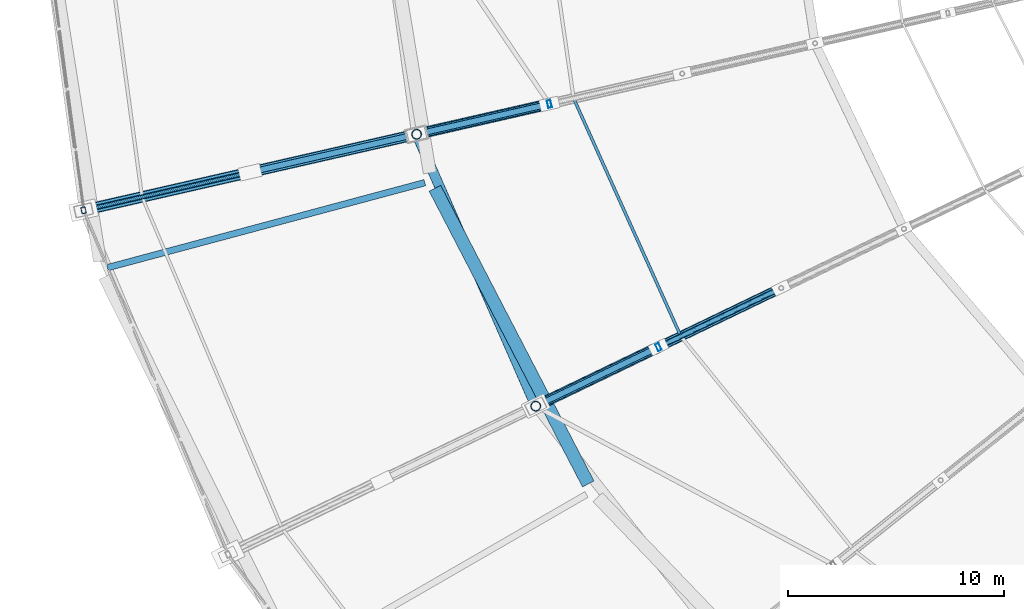
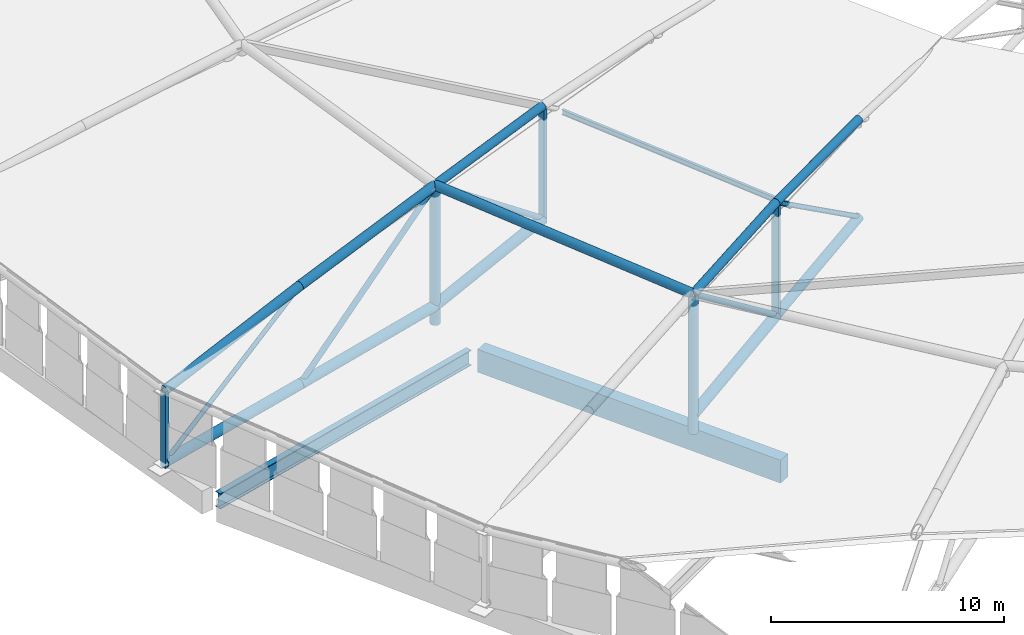
# One storey, part 8 of 108: 22 members, 2 beams.
"""IFC4 building model written with IfcOpenShell, lengths in metres."""

from ifc_helpers import new_model, si_unit, direction, frame, origin, origin_2d, place, context, subcontext, project, spatial, rectangle, hollow_rectangle, hollow_circle, i_section, extrude, material, material_profile, profile_set, type_object, element, save


model = new_model("IFC4")

# Units and contexts
model_context = context("Model", 3, precision=1e-05, world=origin(), true_north=direction((0.0, 1.0)))
body_context = subcontext(model_context, "Body", "Model", "MODEL_VIEW")
ifc_project = project(units=[si_unit("LENGTHUNIT", "METRE"), si_unit("AREAUNIT", "SQUARE_METRE"), si_unit("VOLUMEUNIT", "CUBIC_METRE"), si_unit("PLANEANGLEUNIT", "RADIAN"), si_unit("MASSUNIT", "GRAM", prefix="KILO")], contexts=[model_context])

# Site, building, storey
site_placement = place(None, origin())
site = spatial("IfcSite", under=ifc_project, at=site_placement, CompositionType="ELEMENT")
building_placement = place(site_placement, origin())
building = spatial("IfcBuilding", under=site, at=building_placement, Name="Zevraka Park Crest Stadium", CompositionType="ELEMENT")
storey_placement = place(building_placement, frame((0.0, 0.0, 29.39990234375)))
storey = spatial("IfcBuildingStorey", under=building, at=storey_placement, Name="RF", CompositionType="ELEMENT", Elevation=29.39990234375)

# Beam
ifc_material_1 = material(Name="Steel S355", Category="steel")
ifc_material_profile_1 = material_profile(ifc_material_1, i_section(OverallWidth=0.300048828125, OverallDepth=0.800048828125, WebThickness=0.017578125, FlangeThickness=0.032958984375, at=origin_2d()), Name="HEB 800")
ifc_profile_set_1 = profile_set([ifc_material_profile_1], Name="Steel S355")
beam_type_1 = type_object("IfcBeamType", Name="BG10", PredefinedType="BEAM", material=ifc_profile_set_1)
beam_1_placement = place(storey_placement, frame((39.7490234375, 76.52197265625, -0.534912109375), z_axis=(-0.965945614181, -0.25874518439, 0.0), x_axis=(0.25874518439, -0.965945614181, 0.0)))
element("IfcBeam", 1, at=beam_1_placement, inside=storey, type_object=beam_type_1, Name="Radial Girder BG10 RF-BD-13", PredefinedType="BEAM", context=body_context, shape_type="SweptSolid", body=[
    extrude(i_section(OverallWidth=0.300048828125, OverallDepth=0.800048828125, WebThickness=0.017578125, FlangeThickness=0.032958984375, at=origin_2d()), origin(), (0.0, 0.0, 1.0), 15.19970703125),
])

# Member
ifc_material_2 = material(Name="Steel S355", Category="steel")
ifc_material_profile_2 = material_profile(ifc_material_2, i_section(OverallWidth=0.135009765625, OverallDepth=0.27001953125, WebThickness=0.006591796875, FlangeThickness=0.01025390625, at=origin_2d()), Name="IPE 270")
ifc_profile_set_2 = profile_set([ifc_material_profile_2], Name="Steel S355")
member_type_1 = type_object("IfcMemberType", Name="PR04", PredefinedType="PURLIN", material=ifc_profile_set_2)
member_1_placement = place(storey_placement, frame((46.6298828125, 80.41796875, 7.488037109375), z_axis=(0.410939963153, -0.911662408287, 0.0), x_axis=(0.911662408287, 0.410939963153, 0.0)))
element("IfcMember", 2, at=member_1_placement, inside=storey, type_object=member_type_1, Name="Canopy Roof Purlin PR04 OUTER-16-2", PredefinedType="PURLIN", context=body_context, shape_type="SweptSolid", body=[
    extrude(i_section(OverallWidth=0.135009765625, OverallDepth=0.27001953125, WebThickness=0.006591796875, FlangeThickness=0.01025390625, at=origin_2d()), origin(), (0.0, 0.0, 1.0), 12.068115234375),
])

# Beam
ifc_material_3 = material(Name="Concrete C40/50", Category="concrete")
ifc_material_profile_3 = material_profile(ifc_material_3, rectangle(XDim=0.60009765625, YDim=1.199951171875, at=origin_2d()), Name="RC 1200x600")
ifc_profile_set_3 = profile_set([ifc_material_profile_3], Name="Concrete C40/50")
beam_type_2 = type_object("IfcBeamType", Name="RB01", PredefinedType="BEAM", material=ifc_profile_set_3)
beam_2_placement = place(storey_placement, frame((40.214111328125, 76.262939453125, -0.599853515625), z_axis=(0.460343993973, -0.887740619333, 0.0), x_axis=(0.887740619333, 0.460343993973, 0.0)))
element("IfcBeam", 3, at=beam_2_placement, inside=storey, type_object=beam_type_2, Name="Ring Beam RB01 RF-B-13", PredefinedType="BEAM", context=body_context, shape_type="SweptSolid", body=[
    extrude(rectangle(XDim=0.60009765625, YDim=1.199951171875, at=origin_2d()), origin(), (0.0, 0.0, 1.0), 15.405517578125),
])

# Members
ifc_material_4 = material(Name="Steel S355", Category="steel")
ifc_material_profile_4 = material_profile(ifc_material_4, hollow_circle(Radius=0.25390625, WallThickness=0.030029296875, at=origin_2d()), Name="CHS 508.0x30")
ifc_profile_set_4 = profile_set([ifc_material_profile_4], Name="Steel S355")
member_type_2 = type_object("IfcMemberType", Name="TC01", PredefinedType="CHORD", material=ifc_profile_set_4)
member_2_placement = place(storey_placement, frame((23.964111328125, 75.243896484375, 0.25), z_axis=(0.974221443169, 0.222378312114, 0.037953471127), x_axis=(-0.222538649551, 0.974923868544, 0.0)))
element("IfcMember", 4, at=member_2_placement, inside=storey, type_object=member_type_2, Name="Roof Truss Bottom Chord TC01 T16-1", PredefinedType="CHORD", context=body_context, shape_type="SweptSolid", body=[
    extrude(hollow_circle(Radius=0.25390625, WallThickness=0.030029296875, at=origin_2d()), origin(), (0.0, 0.0, 1.0), 7.90576171875),
])
member_3_placement = place(storey_placement, frame((31.666015625, 77.001953125, 0.550048828125), z_axis=(0.97396794057, 0.222320446954, 0.044272673369), x_axis=(-0.222538649551, 0.974923868544, 0.0)))
element("IfcMember", 5, at=member_3_placement, inside=storey, type_object=member_type_2, Name="Roof Truss Bottom Chord TC01 T16-2", PredefinedType="CHORD", context=body_context, shape_type="SweptSolid", body=[
    extrude(hollow_circle(Radius=0.25390625, WallThickness=0.030029296875, at=origin_2d()), origin(), (0.0, 0.0, 1.0), 7.90771484375),
])
member_4_placement = place(storey_placement, frame((39.367919921875, 78.760009765625, 0.900146484375), z_axis=(0.946688466518, 0.216107475285, 0.2389110849), x_axis=(-0.222552266698, 0.974920760158, 0.0)))
element("IfcMember", 6, at=member_4_placement, inside=storey, type_object=member_type_2, Name="Roof Truss Bottom Chord TC01 T16-3", PredefinedType="CHORD", context=body_context, shape_type="SweptSolid", body=[
    extrude(hollow_circle(Radius=0.25390625, WallThickness=0.030029296875, at=origin_2d()), origin(), (0.0, 0.0, 1.0), 6.488037109375),
])
member_5_placement = place(storey_placement, frame((44.8779296875, 66.18408203125, 0.900146484375), z_axis=(0.874906219459, 0.42125253648, 0.238925527435), x_axis=(-0.433816783994, 0.901001108726, 0.0)))
element("IfcMember", 7, at=member_5_placement, inside=storey, type_object=member_type_2, Name="Roof Truss Bottom Chord TC01 T17-3", PredefinedType="CHORD", context=body_context, shape_type="SweptSolid", body=[
    extrude(hollow_circle(Radius=0.25390625, WallThickness=0.030029296875, at=origin_2d()), origin(), (0.0, 0.0, 1.0), 6.487548828125),
])
ifc_material_5 = material(Name="Steel S355", Category="steel")
ifc_material_profile_5 = material_profile(ifc_material_5, hollow_circle(Radius=0.228515625, WallThickness=0.02490234375, at=origin_2d()), Name="CHS 457.0x25")
ifc_profile_set_5 = profile_set([ifc_material_profile_5], Name="Steel S355")
member_type_3 = type_object("IfcMemberType", Name="TC02", PredefinedType="CHORD", material=ifc_profile_set_5)
member_6_placement = place(storey_placement, frame((39.367919921875, 78.760009765625, 0.0), z_axis=(0.0, 0.0, 1.0), x_axis=(0.974916814618, 0.222569549971, 0.0)))
element("IfcMember", 8, at=member_6_placement, inside=storey, type_object=member_type_3, Name="Roof Truss Anchor Strut TC02 T16-2", PredefinedType="CHORD", context=body_context, shape_type="SweptSolid", body=[
    extrude(hollow_circle(Radius=0.228515625, WallThickness=0.02490234375, at=origin_2d()), origin(), (0.0, 0.0, 1.0), 7.2001953125),
])
member_7_placement = place(storey_placement, frame((23.964111328125, 75.243896484375, 4.0), z_axis=(0.953101185452, 0.217557347337, 0.210397079136), x_axis=(-0.222538649551, 0.974923868544, 0.0)))
element("IfcMember", 9, at=member_7_placement, inside=storey, type_object=member_type_3, Name="Roof Truss Top Chord TC02 T16-1", PredefinedType="CHORD", context=body_context, shape_type="SweptSolid", body=[
    extrude(hollow_circle(Radius=0.228515625, WallThickness=0.02490234375, at=origin_2d()), origin(), (0.0, 0.0, 1.0), 8.080810546875),
])
member_8_placement = place(storey_placement, frame((31.666015625, 77.001953125, 5.7001953125), z_axis=(0.957811298019, 0.218632489842, 0.186540482931), x_axis=(-0.222538649551, 0.974923868544, 0.0)))
element("IfcMember", 10, at=member_8_placement, inside=storey, type_object=member_type_3, Name="Roof Truss Top Chord TC02 T16-2", PredefinedType="CHORD", context=body_context, shape_type="SweptSolid", body=[
    extrude(hollow_circle(Radius=0.228515625, WallThickness=0.02490234375, at=origin_2d()), origin(), (0.0, 0.0, 1.0), 8.041259765625),
])
member_9_placement = place(storey_placement, frame((44.8779296875, 66.18408203125, 0.0), z_axis=(0.0, 0.0, 1.0), x_axis=(0.90100131981, 0.43381634559, 0.0)))
element("IfcMember", 11, at=member_9_placement, inside=storey, type_object=member_type_3, Name="Roof Truss Anchor Strut TC02 T17-2", PredefinedType="CHORD", context=body_context, shape_type="SweptSolid", body=[
    extrude(hollow_circle(Radius=0.228515625, WallThickness=0.02490234375, at=origin_2d()), origin(), (0.0, 0.0, 1.0), 7.2001953125),
])
member_10_placement = place(storey_placement, frame((50.553955078125, 68.9169921875, 2.4501953125), z_axis=(0.876441359224, 0.42214247239, 0.231616659257), x_axis=(-0.433942615061, 0.900940512373, 0.0)))
element("IfcMember", 12, at=member_10_placement, inside=storey, type_object=member_type_3, Name="Roof Truss Bottom Chord TC02 T17-4", PredefinedType="CHORD", context=body_context, shape_type="SweptSolid", body=[
    extrude(hollow_circle(Radius=0.228515625, WallThickness=0.02490234375, at=origin_2d()), origin(), (0.0, 0.0, 1.0), 6.476318359375),
])
member_11_placement = place(storey_placement, frame((39.367919921875, 78.760009765625, 7.2001953125), z_axis=(0.401310361538, -0.915942134484, 0.0), x_axis=(0.915942134484, 0.401310361538, 0.0)))
element("IfcMember", 13, at=member_11_placement, inside=storey, type_object=member_type_3, Name="Roof Main Bowl-Rim Ring Chord TC02 16", PredefinedType="CHORD", context=body_context, shape_type="SweptSolid", body=[
    extrude(hollow_circle(Radius=0.228515625, WallThickness=0.02490234375, at=origin_2d()), origin(), (0.0, 0.0, 1.0), 13.72998046875),
])
ifc_material_6 = material(Name="Steel S355", Category="steel")
ifc_material_profile_6 = material_profile(ifc_material_6, hollow_circle(Radius=0.203125, WallThickness=0.02001953125, at=origin_2d()), Name="CHS 406.4x20")
ifc_profile_set_6 = profile_set([ifc_material_profile_6], Name="Steel S355")
member_type_4 = type_object("IfcMemberType", Name="TC03", PredefinedType="CHORD", material=ifc_profile_set_6)
member_12_placement = place(storey_placement, frame((39.367919921875, 78.760009765625, 7.2001953125), z_axis=(0.959076254167, 0.218935325848, 0.179555177563), x_axis=(-0.222552266698, 0.974920760158, 0.0)))
element("IfcMember", 14, at=member_12_placement, inside=storey, type_object=member_type_4, Name="Roof Truss Top Chord TC03 T16-3", PredefinedType="CHORD", context=body_context, shape_type="SweptSolid", body=[
    extrude(hollow_circle(Radius=0.203125, WallThickness=0.02001953125, at=origin_2d()), origin(), (0.0, 0.0, 1.0), 6.404052734375),
])
member_13_placement = place(storey_placement, frame((44.8779296875, 66.18408203125, 7.2001953125), z_axis=(0.886356119911, 0.426765469753, 0.179566317897), x_axis=(-0.433816783994, 0.901001108726, 0.0)))
element("IfcMember", 15, at=member_13_placement, inside=storey, type_object=member_type_4, Name="Roof Truss Top Chord TC03 T17-3", PredefinedType="CHORD", context=body_context, shape_type="SweptSolid", body=[
    extrude(hollow_circle(Radius=0.203125, WallThickness=0.02001953125, at=origin_2d()), origin(), (0.0, 0.0, 1.0), 6.40380859375),
])
member_14_placement = place(storey_placement, frame((50.553955078125, 68.9169921875, 8.35009765625), z_axis=(0.895431075511, 0.431288966561, 0.110421992064), x_axis=(-0.433942615061, 0.900940512373, 0.0)))
element("IfcMember", 16, at=member_14_placement, inside=storey, type_object=member_type_4, Name="Roof Truss Top Chord TC03 T17-4", PredefinedType="CHORD", context=body_context, shape_type="SweptSolid", body=[
    extrude(hollow_circle(Radius=0.203125, WallThickness=0.02001953125, at=origin_2d()), origin(), (0.0, 0.0, 1.0), 6.3388671875),
])
ifc_material_7 = material(Name="Steel S355", Category="steel")
ifc_material_profile_7 = material_profile(ifc_material_7, hollow_circle(Radius=0.136474609375, WallThickness=0.012451171875, at=origin_2d()), Name="CHS 273.0x12.5")
ifc_profile_set_7 = profile_set([ifc_material_profile_7], Name="Steel S355")
member_type_5 = type_object("IfcMemberType", Name="WB01", PredefinedType="BRACE", material=ifc_profile_set_7)
member_15_placement = place(storey_placement, frame((31.666015625, 77.001953125, 0.550048828125), z_axis=(0.745846000859, 0.170248741629, 0.643994649805), x_axis=(-0.222538649551, 0.974923868544, 0.0)))
element("IfcMember", 17, at=member_15_placement, inside=storey, type_object=member_type_5, Name="Roof Truss Web Diagonal WB01 T16-2", PredefinedType="BRACE", context=body_context, shape_type="SweptSolid", body=[
    extrude(hollow_circle(Radius=0.136474609375, WallThickness=0.012451171875, at=origin_2d()), origin(), (0.0, 0.0, 1.0), 10.326416015625),
])
member_16_placement = place(storey_placement, frame((45.510009765625, 80.162109375, 2.4501953125), z_axis=(-0.778455428701, -0.177703693737, 0.602020384005), x_axis=(0.222552266698, -0.974920760158, 0.0)))
element("IfcMember", 18, at=member_16_placement, inside=storey, type_object=member_type_5, Name="Roof Truss Web Diagonal WB01 T16-3", PredefinedType="BRACE", context=body_context, shape_type="SweptSolid", body=[
    extrude(hollow_circle(Radius=0.136474609375, WallThickness=0.012451171875, at=origin_2d()), origin(), (0.0, 0.0, 1.0), 7.89013671875),
])
member_17_placement = place(storey_placement, frame((50.553955078125, 68.9169921875, 2.4501953125), z_axis=(-0.719415295857, -0.346386288521, 0.602044991019), x_axis=(0.433816783994, -0.901001108726, 0.0)))
element("IfcMember", 19, at=member_17_placement, inside=storey, type_object=member_type_5, Name="Roof Truss Web Diagonal WB01 T17-3", PredefinedType="BRACE", context=body_context, shape_type="SweptSolid", body=[
    extrude(hollow_circle(Radius=0.136474609375, WallThickness=0.012451171875, at=origin_2d()), origin(), (0.0, 0.0, 1.0), 7.889892578125),
])
ifc_material_8 = material(Name="Steel S355", Category="steel")
ifc_material_profile_8 = material_profile(ifc_material_8, hollow_circle(Radius=0.109619140625, WallThickness=0.010009765625, at=origin_2d()), Name="CHS 219.1x10")
ifc_profile_set_8 = profile_set([ifc_material_profile_8], Name="Steel S355")
member_type_6 = type_object("IfcMemberType", Name="WB02", PredefinedType="BRACE", material=ifc_profile_set_8)
member_18_placement = place(storey_placement, frame((23.964111328125, 75.243896484375, 0.25), z_axis=(0.802478850294, 0.183175902652, 0.56786819203), x_axis=(-0.222538649551, 0.974923868544, 0.0)))
element("IfcMember", 20, at=member_18_placement, inside=storey, type_object=member_type_6, Name="Roof Truss Web Diagonal WB02 T16-1", PredefinedType="BRACE", context=body_context, shape_type="SweptSolid", body=[
    extrude(hollow_circle(Radius=0.109619140625, WallThickness=0.010009765625, at=origin_2d()), origin(), (0.0, 0.0, 1.0), 9.59765625),
])
ifc_material_9 = material(Name="Steel S355", Category="steel")
ifc_material_profile_9 = material_profile(ifc_material_9, hollow_rectangle(XDim=0.199951171875, YDim=0.300048828125, WallThickness=0.012451171875, at=origin_2d()), Name="RHS 300x200x12.5")
ifc_profile_set_9 = profile_set([ifc_material_profile_9], Name="Steel S355")
member_type_7 = type_object("IfcMemberType", Name="WB03", PredefinedType="BRACE", material=ifc_profile_set_9)
member_19_placement = place(storey_placement, frame((23.964111328125, 75.243896484375, 0.0), z_axis=(0.0, 0.0, 1.0), x_axis=(0.974916814618, 0.222569549971, 0.0)))
element("IfcMember", 21, at=member_19_placement, inside=storey, type_object=member_type_7, Name="Roof Truss Anchor Strut WB03 T16-0", PredefinedType="BRACE", context=body_context, shape_type="SweptSolid", body=[
    extrude(hollow_rectangle(XDim=0.199951171875, YDim=0.300048828125, WallThickness=0.012451171875, at=origin_2d()), origin(), (0.0, 0.0, 1.0), 4.0),
])
ifc_material_10 = material(Name="Steel S355", Category="steel")
ifc_material_profile_10 = material_profile(ifc_material_10, hollow_circle(Radius=0.122314453125, WallThickness=0.012451171875, at=origin_2d()), Name="CHS 244.5x12.5")
ifc_profile_set_10 = profile_set([ifc_material_profile_10], Name="Steel S355")
member_type_8 = type_object("IfcMemberType", Name="WB07", PredefinedType="BRACE", material=ifc_profile_set_10)
member_20_placement = place(storey_placement, frame((56.22998046875, 71.65087890625, 3.9501953125), z_axis=(-0.738639259937, -0.355769385039, 0.572573303909), x_axis=(0.433942615061, -0.900940512373, 0.0)))
element("IfcMember", 22, at=member_20_placement, inside=storey, type_object=member_type_8, Name="Roof Truss Web Diagonal WB07 T17-4", PredefinedType="BRACE", context=body_context, shape_type="SweptSolid", body=[
    extrude(hollow_circle(Radius=0.122314453125, WallThickness=0.012451171875, at=origin_2d()), origin(), (0.0, 0.0, 1.0), 7.684326171875),
])
ifc_material_11 = material(Name="Steel S355", Category="steel")
ifc_material_profile_11 = material_profile(ifc_material_11, hollow_rectangle(XDim=0.175048828125, YDim=0.35009765625, WallThickness=0.012451171875, at=origin_2d()), Name="RHS 350x175x12.5")
ifc_profile_set_11 = profile_set([ifc_material_profile_11], Name="Steel S355")
member_type_9 = type_object("IfcMemberType", Name="WB09", PredefinedType="BRACE", material=ifc_profile_set_11)
for number, where, z_axis, x_axis, name in (
    (23, (45.510009765625, 80.162109375, 2.4501953125), (0.0, 0.0, 1.0), (0.974916814618, 0.222569549971, 0.0), "Roof Truss Web Post WB09 T16-3"),
    (24, (50.553955078125, 68.9169921875, 2.4501953125), (0.0, 0.0, 1.0), (0.90100131981, 0.43381634559, 0.0), "Roof Truss Web Post WB09 T17-3"),
):
    element("IfcMember", number, at=place(storey_placement, frame(where, z_axis=z_axis, x_axis=x_axis)), inside=storey, type_object=member_type_9, Name=name, PredefinedType="BRACE", context=body_context, shape_type="SweptSolid", body=[
        extrude(hollow_rectangle(XDim=0.175048828125, YDim=0.35009765625, WallThickness=0.012451171875, at=origin_2d()), origin(), (0.0, 0.0, 1.0), 5.89990234375),
    ])

save(model, "model.ifc")
